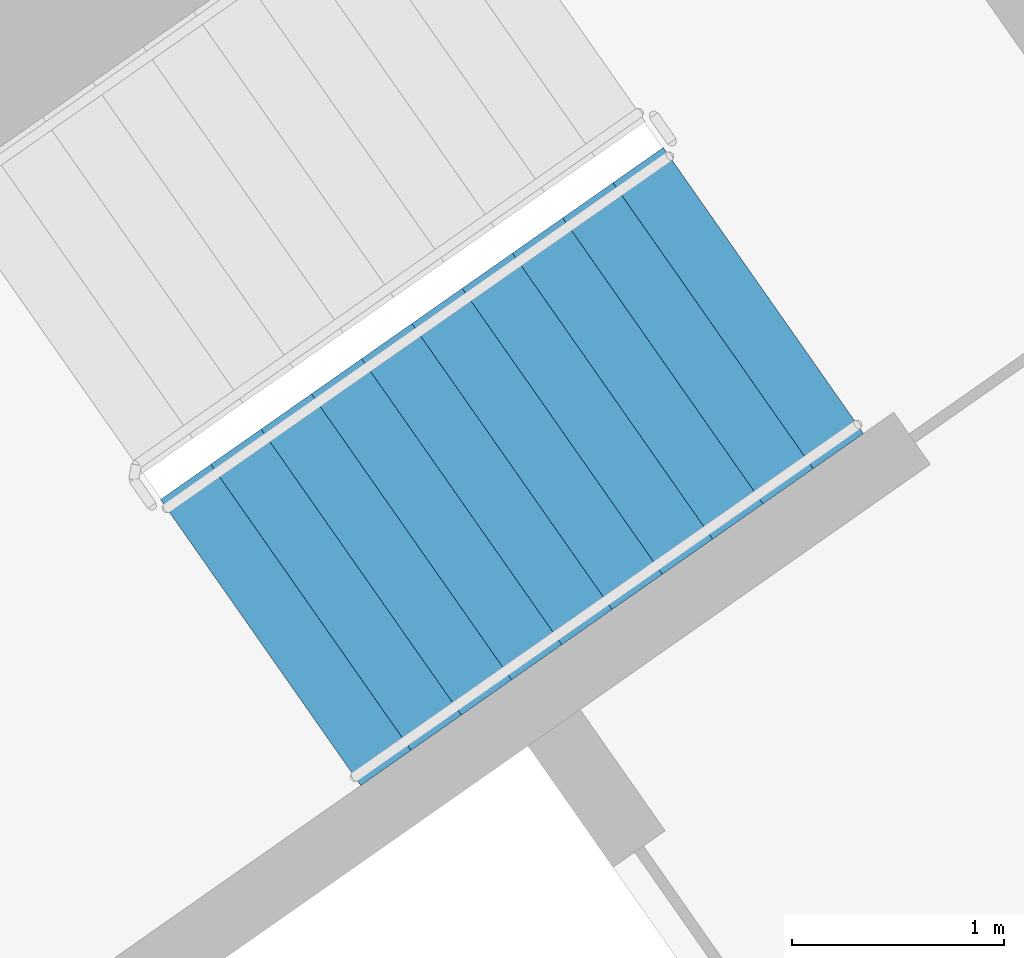
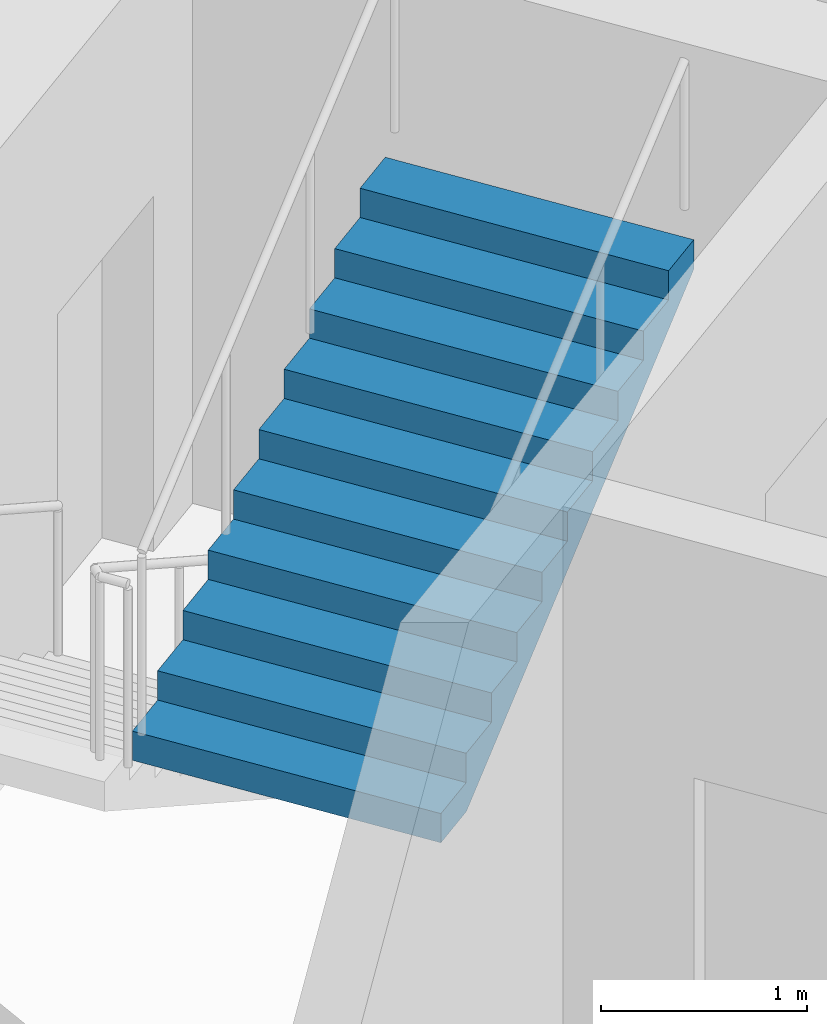
# One storey, part 15 of 28: 1 stair flight, 1 element without a shape of its own.
"""IFC4 building model written with IfcOpenShell, lengths in metres."""

from ifc_helpers import new_model, si_unit, direction, frame, origin, place, context, subcontext, project, spatial, faceted_brep, material, type_object, element, aggregate, save


model = new_model("IFC4")

# Units and contexts
model_context = context("Model", 3, precision=1e-05, world=origin(), true_north=direction((0.0, 1.0)))
body_context = subcontext(model_context, "Body", "Model", "MODEL_VIEW")
ifc_project = project(units=[si_unit("LENGTHUNIT", "METRE"), si_unit("AREAUNIT", "SQUARE_METRE"), si_unit("VOLUMEUNIT", "CUBIC_METRE"), si_unit("PLANEANGLEUNIT", "RADIAN"), si_unit("MASSUNIT", "GRAM", prefix="KILO")], contexts=[model_context])

# Site, building, storey
site_placement = place(None, origin())
site = spatial("IfcSite", under=ifc_project, at=site_placement, CompositionType="ELEMENT")
building_placement = place(site_placement, origin())
building = spatial("IfcBuilding", under=site, at=building_placement, Name="Qamariyya Broadcast Tower", CompositionType="ELEMENT")
storey_placement = place(building_placement, frame((0.0, 0.0, 265.699951171875)))
storey = spatial("IfcBuildingStorey", under=building, at=storey_placement, Name="L64", CompositionType="ELEMENT", Elevation=265.699951171875)

# Stair, stair flight
ifc_material = material(Name="Concrete C50/60", Category="concrete")
stair_type = type_object("IfcStairType", Name="Exit stair 22 risers of 173 mm", PredefinedType="HALF_TURN_STAIR", material=ifc_material)
stair_placement = place(storey_placement, origin())
stair = element("IfcStair", 1, at=stair_placement, inside=storey, type_object=stair_type, Name="L64 Stair E2", PredefinedType="HALF_TURN_STAIR")
stair_flight_type = type_object("IfcStairFlightType", Name="Exit stair flight 11 risers of 173 mm", PredefinedType="STRAIGHT", material=ifc_material)
stair_flight_placement = place(storey_placement, frame((39.215576171875, -50.822998046875, 1.900146484375), z_axis=(0.0, 0.0, 1.0), x_axis=(0.819152044289, 0.573576436351, 0.0)))
stair_flight = element("IfcStairFlight", 2, at=stair_flight_placement, type_object=stair_flight_type, Name="ST-E2 flight 2", NumberOfRisers=11, NumberOfTreads=10, PredefinedType="STRAIGHT", RiserHeight=0.172727273, TreadLength=0.29, context=body_context, shape_type="Brep", body=[
    faceted_brep([(0.0, 0.824951171875, 0.0), (0.0, 0.824951171875, 0.172607421875), (0.2900390625, 0.824951171875, 0.172607421875), (0.2900390625, 0.824951171875, 0.345458984375), (0.580078125, 0.824951171875, 0.345458984375), (0.580078125, 0.824951171875, 0.51806640625), (0.8701171875, 0.824951171875, 0.51806640625), (0.8701171875, 0.824951171875, 0.69091796875), (1.159912109375, 0.824951171875, 0.69091796875), (1.159912109375, 0.824951171875, 0.863525390625), (1.449951171875, 0.824951171875, 0.863525390625), (1.449951171875, 0.824951171875, 1.036376953125), (1.739990234375, 0.824951171875, 1.036376953125), (1.739990234375, 0.824951171875, 1.208984375), (2.030029296875, 0.824951171875, 1.208984375), (2.030029296875, 0.824951171875, 1.3818359375), (2.320068359375, 0.824951171875, 1.3818359375), (2.320068359375, 0.824951171875, 1.554443359375), (2.610107421875, 0.824951171875, 1.554443359375), (2.610107421875, 0.824951171875, 1.727294921875), (2.89990234375, 0.824951171875, 1.727294921875), (2.89990234375, 0.824951171875, 1.552734375), (0.29296875, 0.824951171875, 0.0), (0.29296875, -0.824951171875, 0.0), (2.89990234375, -0.824951171875, 1.552734375), (2.89990234375, -0.824951171875, 1.727294921875), (2.610107421875, -0.824951171875, 1.727294921875), (2.610107421875, -0.824951171875, 1.554443359375), (2.320068359375, -0.824951171875, 1.554443359375), (2.320068359375, -0.824951171875, 1.3818359375), (2.030029296875, -0.824951171875, 1.3818359375), (2.030029296875, -0.824951171875, 1.208984375), (1.739990234375, -0.824951171875, 1.208984375), (1.739990234375, -0.824951171875, 1.036376953125), (1.449951171875, -0.824951171875, 1.036376953125), (1.449951171875, -0.824951171875, 0.863525390625), (1.159912109375, -0.824951171875, 0.863525390625), (1.159912109375, -0.824951171875, 0.69091796875), (0.8701171875, -0.824951171875, 0.69091796875), (0.8701171875, -0.824951171875, 0.51806640625), (0.580078125, -0.824951171875, 0.51806640625), (0.580078125, -0.824951171875, 0.345458984375), (0.2900390625, -0.824951171875, 0.345458984375), (0.2900390625, -0.824951171875, 0.172607421875), (0.0, -0.824951171875, 0.172607421875), (0.0, -0.824951171875, 0.0), (0.0, 0.10009765625, 0.0), (0.0, 0.086669921875, 0.0), (0.0, 0.0732421875, 0.0), (0.0, 0.06005859375, 0.0), (0.0, 0.046630859375, 0.0), (0.0, 0.033447265625, 0.0), (0.0, 0.02001953125, 0.0), (0.0, 0.006591796875, 0.0), (0.0, -0.006591796875, 0.0), (0.0, -0.02001953125, 0.0), (0.0, -0.033447265625, 0.0), (0.0, -0.046630859375, 0.0), (0.0, -0.06005859375, 0.0), (0.0, -0.0732421875, 0.0), (0.0, -0.086669921875, 0.0), (0.0, -0.10009765625, 0.0), (0.0, -0.10009765625, 0.172607421875), (0.0, -0.086669921875, 0.172607421875), (0.0, -0.0732421875, 0.172607421875), (0.0, -0.06005859375, 0.172607421875), (0.0, -0.046630859375, 0.172607421875), (0.0, -0.033447265625, 0.172607421875), (0.0, -0.02001953125, 0.172607421875), (0.0, -0.006591796875, 0.172607421875), (0.0, 0.006591796875, 0.172607421875), (0.0, 0.02001953125, 0.172607421875), (0.0, 0.033447265625, 0.172607421875), (0.0, 0.046630859375, 0.172607421875), (0.0, 0.06005859375, 0.172607421875), (0.0, 0.0732421875, 0.172607421875), (0.0, 0.086669921875, 0.172607421875), (0.0, 0.10009765625, 0.172607421875), (0.2900390625, -0.10009765625, 0.172607421875), (0.2900390625, -0.086669921875, 0.172607421875), (0.2900390625, -0.0732421875, 0.172607421875), (0.2900390625, -0.06005859375, 0.172607421875), (0.2900390625, -0.046630859375, 0.172607421875), (0.2900390625, -0.033447265625, 0.172607421875), (0.2900390625, -0.02001953125, 0.172607421875), (0.2900390625, -0.006591796875, 0.172607421875), (0.2900390625, 0.006591796875, 0.172607421875), (0.2900390625, 0.02001953125, 0.172607421875), (0.2900390625, 0.033447265625, 0.172607421875), (0.2900390625, 0.046630859375, 0.172607421875), (0.2900390625, 0.06005859375, 0.172607421875), (0.2900390625, 0.0732421875, 0.172607421875), (0.2900390625, 0.086669921875, 0.172607421875), (0.2900390625, 0.10009765625, 0.172607421875), (0.2900390625, -0.10009765625, 0.345458984375), (0.2900390625, -0.086669921875, 0.345458984375), (0.2900390625, -0.0732421875, 0.345458984375), (0.2900390625, -0.06005859375, 0.345458984375), (0.2900390625, -0.046630859375, 0.345458984375), (0.2900390625, -0.033447265625, 0.345458984375), (0.2900390625, -0.02001953125, 0.345458984375), (0.2900390625, -0.006591796875, 0.345458984375), (0.2900390625, 0.006591796875, 0.345458984375), (0.2900390625, 0.02001953125, 0.345458984375), (0.2900390625, 0.033447265625, 0.345458984375), (0.2900390625, 0.046630859375, 0.345458984375), (0.2900390625, 0.06005859375, 0.345458984375), (0.2900390625, 0.0732421875, 0.345458984375), (0.2900390625, 0.086669921875, 0.345458984375), (0.2900390625, 0.10009765625, 0.345458984375), (0.580078125, -0.10009765625, 0.345458984375), (0.580078125, -0.086669921875, 0.345458984375), (0.580078125, -0.0732421875, 0.345458984375), (0.580078125, -0.06005859375, 0.345458984375), (0.580078125, -0.046630859375, 0.345458984375), (0.580078125, -0.033447265625, 0.345458984375), (0.580078125, -0.02001953125, 0.345458984375), (0.580078125, -0.006591796875, 0.345458984375), (0.580078125, 0.006591796875, 0.345458984375), (0.580078125, 0.02001953125, 0.345458984375), (0.580078125, 0.033447265625, 0.345458984375), (0.580078125, 0.046630859375, 0.345458984375), (0.580078125, 0.06005859375, 0.345458984375), (0.580078125, 0.0732421875, 0.345458984375), (0.580078125, 0.086669921875, 0.345458984375), (0.580078125, 0.10009765625, 0.345458984375), (0.580078125, -0.10009765625, 0.51806640625), (0.580078125, -0.086669921875, 0.51806640625), (0.580078125, -0.0732421875, 0.51806640625), (0.580078125, -0.06005859375, 0.51806640625), (0.580078125, -0.046630859375, 0.51806640625), (0.580078125, -0.033447265625, 0.51806640625), (0.580078125, -0.02001953125, 0.51806640625), (0.580078125, -0.006591796875, 0.51806640625), (0.580078125, 0.006591796875, 0.51806640625), (0.580078125, 0.02001953125, 0.51806640625), (0.580078125, 0.033447265625, 0.51806640625), (0.580078125, 0.046630859375, 0.51806640625), (0.580078125, 0.06005859375, 0.51806640625), (0.580078125, 0.0732421875, 0.51806640625), (0.580078125, 0.086669921875, 0.51806640625), (0.580078125, 0.10009765625, 0.51806640625), (0.8701171875, -0.10009765625, 0.51806640625), (0.8701171875, -0.086669921875, 0.51806640625), (0.8701171875, -0.0732421875, 0.51806640625), (0.8701171875, -0.06005859375, 0.51806640625), (0.8701171875, -0.046630859375, 0.51806640625), (0.8701171875, -0.033447265625, 0.51806640625), (0.8701171875, -0.02001953125, 0.51806640625), (0.8701171875, -0.006591796875, 0.51806640625), (0.8701171875, 0.006591796875, 0.51806640625), (0.8701171875, 0.02001953125, 0.51806640625), (0.8701171875, 0.033447265625, 0.51806640625), (0.8701171875, 0.046630859375, 0.51806640625), (0.8701171875, 0.06005859375, 0.51806640625), (0.8701171875, 0.0732421875, 0.51806640625), (0.8701171875, 0.086669921875, 0.51806640625), (0.8701171875, 0.10009765625, 0.51806640625), (0.8701171875, -0.10009765625, 0.69091796875), (0.8701171875, -0.086669921875, 0.69091796875), (0.8701171875, -0.0732421875, 0.69091796875), (0.8701171875, -0.06005859375, 0.69091796875), (0.8701171875, -0.046630859375, 0.69091796875), (0.8701171875, -0.033447265625, 0.69091796875), (0.8701171875, -0.02001953125, 0.69091796875), (0.8701171875, -0.006591796875, 0.69091796875), (0.8701171875, 0.006591796875, 0.69091796875), (0.8701171875, 0.02001953125, 0.69091796875), (0.8701171875, 0.033447265625, 0.69091796875), (0.8701171875, 0.046630859375, 0.69091796875), (0.8701171875, 0.06005859375, 0.69091796875), (0.8701171875, 0.0732421875, 0.69091796875), (0.8701171875, 0.086669921875, 0.69091796875), (0.8701171875, 0.10009765625, 0.69091796875), (1.159912109375, -0.10009765625, 0.69091796875), (1.159912109375, -0.086669921875, 0.69091796875), (1.159912109375, -0.0732421875, 0.69091796875), (1.159912109375, -0.06005859375, 0.69091796875), (1.159912109375, -0.046630859375, 0.69091796875), (1.159912109375, -0.033447265625, 0.69091796875), (1.159912109375, -0.02001953125, 0.69091796875), (1.159912109375, -0.006591796875, 0.69091796875), (1.159912109375, 0.006591796875, 0.69091796875), (1.159912109375, 0.02001953125, 0.69091796875), (1.159912109375, 0.033447265625, 0.69091796875), (1.159912109375, 0.046630859375, 0.69091796875), (1.159912109375, 0.06005859375, 0.69091796875), (1.159912109375, 0.0732421875, 0.69091796875), (1.159912109375, 0.086669921875, 0.69091796875), (1.159912109375, 0.10009765625, 0.69091796875), (1.159912109375, -0.10009765625, 0.863525390625), (1.159912109375, -0.086669921875, 0.863525390625), (1.159912109375, -0.0732421875, 0.863525390625), (1.159912109375, -0.06005859375, 0.863525390625), (1.159912109375, -0.046630859375, 0.863525390625), (1.159912109375, -0.033447265625, 0.863525390625), (1.159912109375, -0.02001953125, 0.863525390625), (1.159912109375, -0.006591796875, 0.863525390625), (1.159912109375, 0.006591796875, 0.863525390625), (1.159912109375, 0.02001953125, 0.863525390625), (1.159912109375, 0.033447265625, 0.863525390625), (1.159912109375, 0.046630859375, 0.863525390625), (1.159912109375, 0.06005859375, 0.863525390625), (1.159912109375, 0.0732421875, 0.863525390625), (1.159912109375, 0.086669921875, 0.863525390625), (1.159912109375, 0.10009765625, 0.863525390625), (1.449951171875, -0.10009765625, 0.863525390625), (1.449951171875, -0.086669921875, 0.863525390625), (1.449951171875, -0.0732421875, 0.863525390625), (1.449951171875, -0.06005859375, 0.863525390625), (1.449951171875, -0.046630859375, 0.863525390625), (1.449951171875, -0.033447265625, 0.863525390625), (1.449951171875, -0.02001953125, 0.863525390625), (1.449951171875, -0.006591796875, 0.863525390625), (1.449951171875, 0.006591796875, 0.863525390625), (1.449951171875, 0.02001953125, 0.863525390625), (1.449951171875, 0.033447265625, 0.863525390625), (1.449951171875, 0.046630859375, 0.863525390625), (1.449951171875, 0.06005859375, 0.863525390625), (1.449951171875, 0.0732421875, 0.863525390625), (1.449951171875, 0.086669921875, 0.863525390625), (1.449951171875, 0.10009765625, 0.863525390625), (1.449951171875, -0.10009765625, 1.036376953125), (1.449951171875, -0.086669921875, 1.036376953125), (1.449951171875, -0.0732421875, 1.036376953125), (1.449951171875, -0.06005859375, 1.036376953125), (1.449951171875, -0.046630859375, 1.036376953125), (1.449951171875, -0.033447265625, 1.036376953125), (1.449951171875, -0.02001953125, 1.036376953125), (1.449951171875, -0.006591796875, 1.036376953125), (1.449951171875, 0.006591796875, 1.036376953125), (1.449951171875, 0.02001953125, 1.036376953125), (1.449951171875, 0.033447265625, 1.036376953125), (1.449951171875, 0.046630859375, 1.036376953125), (1.449951171875, 0.06005859375, 1.036376953125), (1.449951171875, 0.0732421875, 1.036376953125), (1.449951171875, 0.086669921875, 1.036376953125), (1.449951171875, 0.10009765625, 1.036376953125), (1.739990234375, -0.10009765625, 1.036376953125), (1.739990234375, -0.086669921875, 1.036376953125), (1.739990234375, -0.0732421875, 1.036376953125), (1.739990234375, -0.06005859375, 1.036376953125), (1.739990234375, -0.046630859375, 1.036376953125), (1.739990234375, -0.033447265625, 1.036376953125), (1.739990234375, -0.02001953125, 1.036376953125), (1.739990234375, -0.006591796875, 1.036376953125), (1.739990234375, 0.006591796875, 1.036376953125), (1.739990234375, 0.02001953125, 1.036376953125), (1.739990234375, 0.033447265625, 1.036376953125), (1.739990234375, 0.046630859375, 1.036376953125), (1.739990234375, 0.06005859375, 1.036376953125), (1.739990234375, 0.0732421875, 1.036376953125), (1.739990234375, 0.086669921875, 1.036376953125), (1.739990234375, 0.10009765625, 1.036376953125), (1.739990234375, -0.10009765625, 1.208984375), (1.739990234375, -0.086669921875, 1.208984375), (1.739990234375, -0.0732421875, 1.208984375), (1.739990234375, -0.06005859375, 1.208984375), (1.739990234375, -0.046630859375, 1.208984375), (1.739990234375, -0.033447265625, 1.208984375), (1.739990234375, -0.02001953125, 1.208984375), (1.739990234375, -0.006591796875, 1.208984375), (1.739990234375, 0.006591796875, 1.208984375), (1.739990234375, 0.02001953125, 1.208984375), (1.739990234375, 0.033447265625, 1.208984375), (1.739990234375, 0.046630859375, 1.208984375), (1.739990234375, 0.06005859375, 1.208984375), (1.739990234375, 0.0732421875, 1.208984375), (1.739990234375, 0.086669921875, 1.208984375), (1.739990234375, 0.10009765625, 1.208984375), (2.030029296875, -0.10009765625, 1.208984375), (2.030029296875, -0.086669921875, 1.208984375), (2.030029296875, -0.0732421875, 1.208984375), (2.030029296875, -0.06005859375, 1.208984375), (2.030029296875, -0.046630859375, 1.208984375), (2.030029296875, -0.033447265625, 1.208984375), (2.030029296875, -0.02001953125, 1.208984375), (2.030029296875, -0.006591796875, 1.208984375), (2.030029296875, 0.006591796875, 1.208984375), (2.030029296875, 0.02001953125, 1.208984375), (2.030029296875, 0.033447265625, 1.208984375), (2.030029296875, 0.046630859375, 1.208984375), (2.030029296875, 0.06005859375, 1.208984375), (2.030029296875, 0.0732421875, 1.208984375), (2.030029296875, 0.086669921875, 1.208984375), (2.030029296875, 0.10009765625, 1.208984375), (2.030029296875, -0.10009765625, 1.3818359375), (2.030029296875, -0.086669921875, 1.3818359375), (2.030029296875, -0.0732421875, 1.3818359375), (2.030029296875, -0.06005859375, 1.3818359375), (2.030029296875, -0.046630859375, 1.3818359375), (2.030029296875, -0.033447265625, 1.3818359375), (2.030029296875, -0.02001953125, 1.3818359375), (2.030029296875, -0.006591796875, 1.3818359375), (2.030029296875, 0.006591796875, 1.3818359375), (2.030029296875, 0.02001953125, 1.3818359375), (2.030029296875, 0.033447265625, 1.3818359375), (2.030029296875, 0.046630859375, 1.3818359375), (2.030029296875, 0.06005859375, 1.3818359375), (2.030029296875, 0.0732421875, 1.3818359375), (2.030029296875, 0.086669921875, 1.3818359375), (2.030029296875, 0.10009765625, 1.3818359375), (2.320068359375, -0.10009765625, 1.3818359375), (2.320068359375, -0.086669921875, 1.3818359375), (2.320068359375, -0.0732421875, 1.3818359375), (2.320068359375, -0.06005859375, 1.3818359375), (2.320068359375, -0.046630859375, 1.3818359375), (2.320068359375, -0.033447265625, 1.3818359375), (2.320068359375, -0.02001953125, 1.3818359375), (2.320068359375, -0.006591796875, 1.3818359375), (2.320068359375, 0.006591796875, 1.3818359375), (2.320068359375, 0.02001953125, 1.3818359375), (2.320068359375, 0.033447265625, 1.3818359375), (2.320068359375, 0.046630859375, 1.3818359375), (2.320068359375, 0.06005859375, 1.3818359375), (2.320068359375, 0.0732421875, 1.3818359375), (2.320068359375, 0.086669921875, 1.3818359375), (2.320068359375, 0.10009765625, 1.3818359375), (2.320068359375, -0.10009765625, 1.554443359375), (2.320068359375, -0.086669921875, 1.554443359375), (2.320068359375, -0.0732421875, 1.554443359375), (2.320068359375, -0.06005859375, 1.554443359375), (2.320068359375, -0.046630859375, 1.554443359375), (2.320068359375, -0.033447265625, 1.554443359375), (2.320068359375, -0.02001953125, 1.554443359375), (2.320068359375, -0.006591796875, 1.554443359375), (2.320068359375, 0.006591796875, 1.554443359375), (2.320068359375, 0.02001953125, 1.554443359375), (2.320068359375, 0.033447265625, 1.554443359375), (2.320068359375, 0.046630859375, 1.554443359375), (2.320068359375, 0.06005859375, 1.554443359375), (2.320068359375, 0.0732421875, 1.554443359375), (2.320068359375, 0.086669921875, 1.554443359375), (2.320068359375, 0.10009765625, 1.554443359375), (2.610107421875, -0.10009765625, 1.554443359375), (2.610107421875, -0.086669921875, 1.554443359375), (2.610107421875, -0.0732421875, 1.554443359375), (2.610107421875, -0.06005859375, 1.554443359375), (2.610107421875, -0.046630859375, 1.554443359375), (2.610107421875, -0.033447265625, 1.554443359375), (2.610107421875, -0.02001953125, 1.554443359375), (2.610107421875, -0.006591796875, 1.554443359375), (2.610107421875, 0.006591796875, 1.554443359375), (2.610107421875, 0.02001953125, 1.554443359375), (2.610107421875, 0.033447265625, 1.554443359375), (2.610107421875, 0.046630859375, 1.554443359375), (2.610107421875, 0.06005859375, 1.554443359375), (2.610107421875, 0.0732421875, 1.554443359375), (2.610107421875, 0.086669921875, 1.554443359375), (2.610107421875, 0.10009765625, 1.554443359375), (2.610107421875, -0.10009765625, 1.727294921875), (2.610107421875, -0.086669921875, 1.727294921875), (2.610107421875, -0.0732421875, 1.727294921875), (2.610107421875, -0.06005859375, 1.727294921875), (2.610107421875, -0.046630859375, 1.727294921875), (2.610107421875, -0.033447265625, 1.727294921875), (2.610107421875, -0.02001953125, 1.727294921875), (2.610107421875, -0.006591796875, 1.727294921875), (2.610107421875, 0.006591796875, 1.727294921875), (2.610107421875, 0.02001953125, 1.727294921875), (2.610107421875, 0.033447265625, 1.727294921875), (2.610107421875, 0.046630859375, 1.727294921875), (2.610107421875, 0.06005859375, 1.727294921875), (2.610107421875, 0.0732421875, 1.727294921875), (2.610107421875, 0.086669921875, 1.727294921875), (2.610107421875, 0.10009765625, 1.727294921875), (2.89990234375, -0.10009765625, 1.727294921875), (2.89990234375, -0.086669921875, 1.727294921875), (2.89990234375, -0.0732421875, 1.727294921875), (2.89990234375, -0.06005859375, 1.727294921875), (2.89990234375, -0.046630859375, 1.727294921875), (2.89990234375, -0.033447265625, 1.727294921875), (2.89990234375, -0.02001953125, 1.727294921875), (2.89990234375, -0.006591796875, 1.727294921875), (2.89990234375, 0.006591796875, 1.727294921875), (2.89990234375, 0.02001953125, 1.727294921875), (2.89990234375, 0.033447265625, 1.727294921875), (2.89990234375, 0.046630859375, 1.727294921875), (2.89990234375, 0.06005859375, 1.727294921875), (2.89990234375, 0.0732421875, 1.727294921875), (2.89990234375, 0.086669921875, 1.727294921875), (2.89990234375, 0.10009765625, 1.727294921875), (2.89990234375, -0.10009765625, 1.552734375), (2.89990234375, -0.086669921875, 1.552734375), (2.89990234375, -0.0732421875, 1.552734375), (2.89990234375, -0.06005859375, 1.552734375), (2.89990234375, -0.046630859375, 1.552734375), (2.89990234375, -0.033447265625, 1.552734375), (2.89990234375, -0.02001953125, 1.552734375), (2.89990234375, -0.006591796875, 1.552734375), (2.89990234375, 0.006591796875, 1.552734375), (2.89990234375, 0.02001953125, 1.552734375), (2.89990234375, 0.033447265625, 1.552734375), (2.89990234375, 0.046630859375, 1.552734375), (2.89990234375, 0.06005859375, 1.552734375), (2.89990234375, 0.0732421875, 1.552734375), (2.89990234375, 0.086669921875, 1.552734375), (2.89990234375, 0.10009765625, 1.552734375), (0.29296875, -0.10009765625, 0.0), (0.29296875, -0.086669921875, 0.0), (0.29296875, -0.0732421875, 0.0), (0.29296875, -0.06005859375, 0.0), (0.29296875, -0.046630859375, 0.0), (0.29296875, -0.033447265625, 0.0), (0.29296875, -0.02001953125, 0.0), (0.29296875, -0.006591796875, 0.0), (0.29296875, 0.006591796875, 0.0), (0.29296875, 0.02001953125, 0.0), (0.29296875, 0.033447265625, 0.0), (0.29296875, 0.046630859375, 0.0), (0.29296875, 0.06005859375, 0.0), (0.29296875, 0.0732421875, 0.0), (0.29296875, 0.086669921875, 0.0), (0.29296875, 0.10009765625, 0.0)], [[[0, 1, 2, 3, 4, 5, 6, 7, 8, 9, 10, 11, 12, 13, 14, 15, 16, 17, 18, 19, 20, 21, 22]], [[23, 24, 25, 26, 27, 28, 29, 30, 31, 32, 33, 34, 35, 36, 37, 38, 39, 40, 41, 42, 43, 44, 45]], [[0, 46, 47, 48, 49, 50, 51, 52, 53, 54, 55, 56, 57, 58, 59, 60, 61, 45, 44, 62, 63, 64, 65, 66, 67, 68, 69, 70, 71, 72, 73, 74, 75, 76, 77, 1]], [[1, 77, 76, 75, 74, 73, 72, 71, 70, 69, 68, 67, 66, 65, 64, 63, 62, 44, 43, 78, 79, 80, 81, 82, 83, 84, 85, 86, 87, 88, 89, 90, 91, 92, 93, 2]], [[2, 93, 92, 91, 90, 89, 88, 87, 86, 85, 84, 83, 82, 81, 80, 79, 78, 43, 42, 94, 95, 96, 97, 98, 99, 100, 101, 102, 103, 104, 105, 106, 107, 108, 109, 3]], [[3, 109, 108, 107, 106, 105, 104, 103, 102, 101, 100, 99, 98, 97, 96, 95, 94, 42, 41, 110, 111, 112, 113, 114, 115, 116, 117, 118, 119, 120, 121, 122, 123, 124, 125, 4]], [[4, 125, 124, 123, 122, 121, 120, 119, 118, 117, 116, 115, 114, 113, 112, 111, 110, 41, 40, 126, 127, 128, 129, 130, 131, 132, 133, 134, 135, 136, 137, 138, 139, 140, 141, 5]], [[5, 141, 140, 139, 138, 137, 136, 135, 134, 133, 132, 131, 130, 129, 128, 127, 126, 40, 39, 142, 143, 144, 145, 146, 147, 148, 149, 150, 151, 152, 153, 154, 155, 156, 157, 6]], [[6, 157, 156, 155, 154, 153, 152, 151, 150, 149, 148, 147, 146, 145, 144, 143, 142, 39, 38, 158, 159, 160, 161, 162, 163, 164, 165, 166, 167, 168, 169, 170, 171, 172, 173, 7]], [[7, 173, 172, 171, 170, 169, 168, 167, 166, 165, 164, 163, 162, 161, 160, 159, 158, 38, 37, 174, 175, 176, 177, 178, 179, 180, 181, 182, 183, 184, 185, 186, 187, 188, 189, 8]], [[8, 189, 188, 187, 186, 185, 184, 183, 182, 181, 180, 179, 178, 177, 176, 175, 174, 37, 36, 190, 191, 192, 193, 194, 195, 196, 197, 198, 199, 200, 201, 202, 203, 204, 205, 9]], [[9, 205, 204, 203, 202, 201, 200, 199, 198, 197, 196, 195, 194, 193, 192, 191, 190, 36, 35, 206, 207, 208, 209, 210, 211, 212, 213, 214, 215, 216, 217, 218, 219, 220, 221, 10]], [[10, 221, 220, 219, 218, 217, 216, 215, 214, 213, 212, 211, 210, 209, 208, 207, 206, 35, 34, 222, 223, 224, 225, 226, 227, 228, 229, 230, 231, 232, 233, 234, 235, 236, 237, 11]], [[11, 237, 236, 235, 234, 233, 232, 231, 230, 229, 228, 227, 226, 225, 224, 223, 222, 34, 33, 238, 239, 240, 241, 242, 243, 244, 245, 246, 247, 248, 249, 250, 251, 252, 253, 12]], [[12, 253, 252, 251, 250, 249, 248, 247, 246, 245, 244, 243, 242, 241, 240, 239, 238, 33, 32, 254, 255, 256, 257, 258, 259, 260, 261, 262, 263, 264, 265, 266, 267, 268, 269, 13]], [[13, 269, 268, 267, 266, 265, 264, 263, 262, 261, 260, 259, 258, 257, 256, 255, 254, 32, 31, 270, 271, 272, 273, 274, 275, 276, 277, 278, 279, 280, 281, 282, 283, 284, 285, 14]], [[14, 285, 284, 283, 282, 281, 280, 279, 278, 277, 276, 275, 274, 273, 272, 271, 270, 31, 30, 286, 287, 288, 289, 290, 291, 292, 293, 294, 295, 296, 297, 298, 299, 300, 301, 15]], [[15, 301, 300, 299, 298, 297, 296, 295, 294, 293, 292, 291, 290, 289, 288, 287, 286, 30, 29, 302, 303, 304, 305, 306, 307, 308, 309, 310, 311, 312, 313, 314, 315, 316, 317, 16]], [[16, 317, 316, 315, 314, 313, 312, 311, 310, 309, 308, 307, 306, 305, 304, 303, 302, 29, 28, 318, 319, 320, 321, 322, 323, 324, 325, 326, 327, 328, 329, 330, 331, 332, 333, 17]], [[17, 333, 332, 331, 330, 329, 328, 327, 326, 325, 324, 323, 322, 321, 320, 319, 318, 28, 27, 334, 335, 336, 337, 338, 339, 340, 341, 342, 343, 344, 345, 346, 347, 348, 349, 18]], [[18, 349, 348, 347, 346, 345, 344, 343, 342, 341, 340, 339, 338, 337, 336, 335, 334, 27, 26, 350, 351, 352, 353, 354, 355, 356, 357, 358, 359, 360, 361, 362, 363, 364, 365, 19]], [[19, 365, 364, 363, 362, 361, 360, 359, 358, 357, 356, 355, 354, 353, 352, 351, 350, 26, 25, 366, 367, 368, 369, 370, 371, 372, 373, 374, 375, 376, 377, 378, 379, 380, 381, 20]], [[20, 381, 380, 379, 378, 377, 376, 375, 374, 373, 372, 371, 370, 369, 368, 367, 366, 25, 24, 382, 383, 384, 385, 386, 387, 388, 389, 390, 391, 392, 393, 394, 395, 396, 397, 21]], [[21, 397, 396, 395, 394, 393, 392, 391, 390, 389, 388, 387, 386, 385, 384, 383, 382, 24, 23, 398, 399, 400, 401, 402, 403, 404, 405, 406, 407, 408, 409, 410, 411, 412, 413, 22]], [[22, 413, 412, 411, 410, 409, 408, 407, 406, 405, 404, 403, 402, 401, 400, 399, 398, 23, 45, 61, 60, 59, 58, 57, 56, 55, 54, 53, 52, 51, 50, 49, 48, 47, 46, 0]]]),
])
aggregate(stair, [stair_flight])

save(model, "model.ifc")
